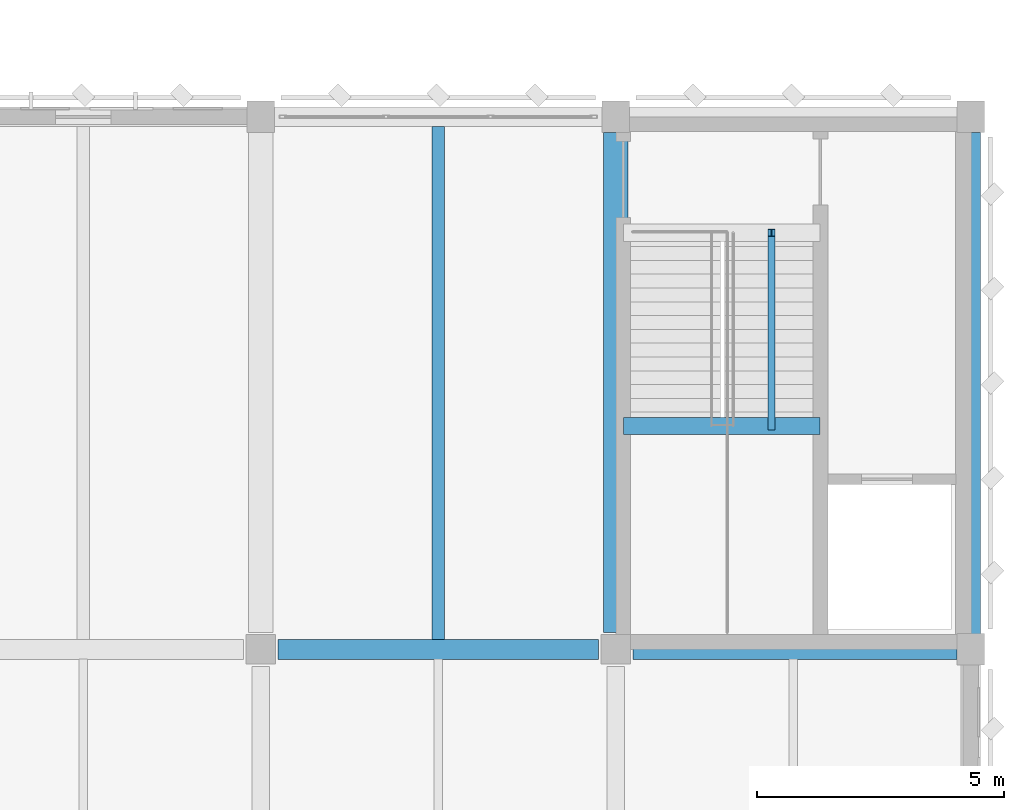
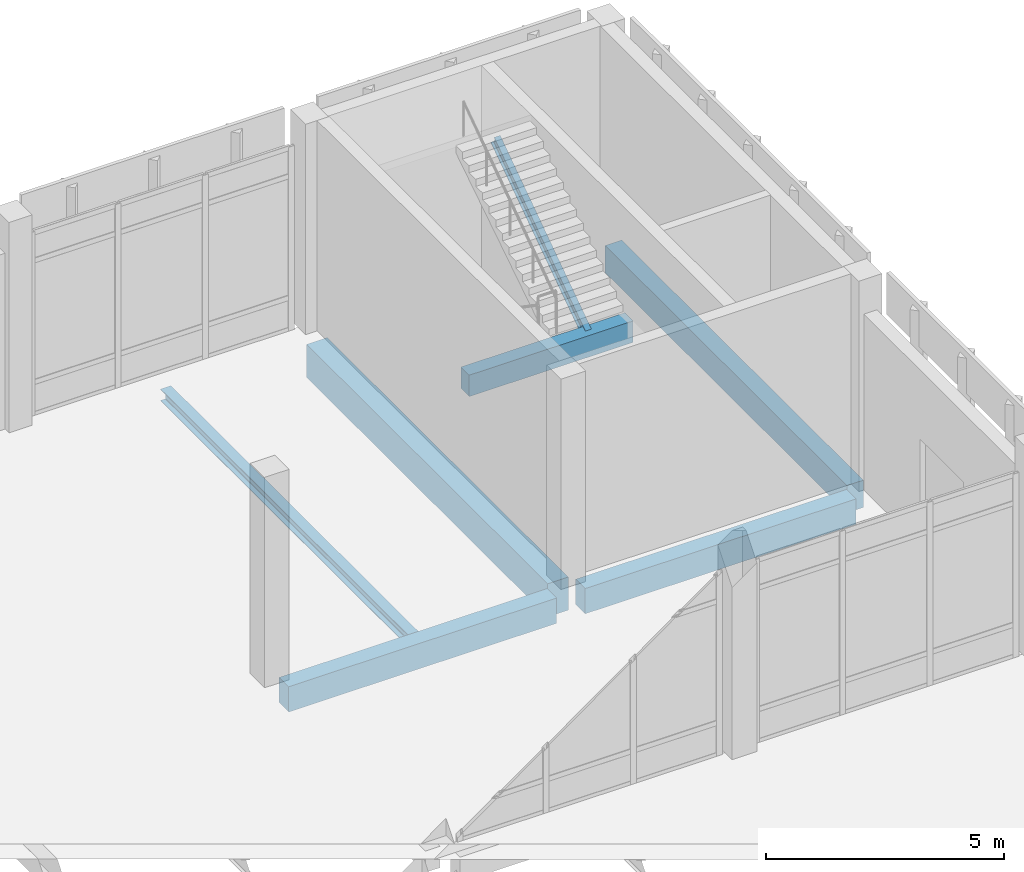
# One storey, part 137 of 180: 7 beams.
"""IFC4 building model written with IfcOpenShell, lengths in metres."""

from ifc_helpers import new_model, si_unit, direction, frame, origin, origin_2d, place, context, subcontext, project, spatial, rectangle, i_section, extrude, material, material_profile, profile_set, type_object, element, save


model = new_model("IFC4")

# Units and contexts
model_context = context("Model", 3, precision=1e-05, world=origin(), true_north=direction((0.0, 1.0)))
body_context = subcontext(model_context, "Body", "Model", "MODEL_VIEW")
ifc_project = project(units=[si_unit("LENGTHUNIT", "METRE"), si_unit("AREAUNIT", "SQUARE_METRE"), si_unit("VOLUMEUNIT", "CUBIC_METRE"), si_unit("PLANEANGLEUNIT", "RADIAN"), si_unit("MASSUNIT", "GRAM", prefix="KILO")], contexts=[model_context])

# Site, building, storey
site_placement = place(None, origin())
site = spatial("IfcSite", under=ifc_project, at=site_placement, CompositionType="ELEMENT")
building_placement = place(site_placement, origin())
building = spatial("IfcBuilding", under=site, at=building_placement, Name="Lusvemor Sports Hall", CompositionType="ELEMENT")
storey_placement = place(building_placement, frame((0.0, 0.0, 5.39990234375)))
storey = spatial("IfcBuildingStorey", under=building, at=storey_placement, Name="L01", CompositionType="ELEMENT", Elevation=5.39990234375)

# Beams
ifc_material_1 = material(Name="Concrete C40/50", Category="concrete")
ifc_material_profile_1 = material_profile(ifc_material_1, rectangle(XDim=0.35009765625, YDim=0.550048828125, at=origin_2d()), Name="RC350x550")
ifc_profile_set_1 = profile_set([ifc_material_profile_1], Name="Concrete C40/50")
beam_type_1 = type_object("IfcBeamType", Name="BEAM_RC_550", PredefinedType="BEAM", material=ifc_profile_set_1)
beam_1_placement = place(storey_placement, frame((162.159912109375, 108.929931640625, 2.2451171875), z_axis=(1.0, 0.0, 0.0), x_axis=(0.0, 1.0, 0.0)))
element("IfcBeam", 1, at=beam_1_placement, inside=storey, type_object=beam_type_1, Name="Stair STR-C5-L01 Mid-Landing Beam", PredefinedType="BEAM", context=body_context, shape_type="SweptSolid", body=[
    extrude(rectangle(XDim=0.35009765625, YDim=0.550048828125, at=origin_2d()), origin(), (0.0, 0.0, 1.0), 3.97998046875),
])
ifc_material_2 = material(Name="Concrete C40/50", Category="concrete")
ifc_material_profile_2 = material_profile(ifc_material_2, rectangle(XDim=0.39990234375, YDim=0.64990234375, at=origin_2d()), Name="RC400x650")
ifc_profile_set_2 = profile_set([ifc_material_profile_2], Name="Concrete C40/50")
beam_type_2 = type_object("IfcBeamType", Name="BEAM_RC_650", PredefinedType="BEAM", material=ifc_profile_set_2)
beam_2_placement = place(storey_placement, frame((155.14599609375, 104.39990234375, -0.5849609375), z_axis=(1.0, 0.0, 0.0), x_axis=(0.0, 1.0, 0.0)))
element("IfcBeam", 2, at=beam_2_placement, inside=storey, type_object=beam_type_2, Name="Beam L01 P:18-19", PredefinedType="BEAM", context=body_context, shape_type="SweptSolid", body=[
    extrude(rectangle(XDim=0.39990234375, YDim=0.64990234375, at=origin_2d()), origin(), (0.0, 0.0, 1.0), 6.508056640625),
])
beam_3_placement = place(storey_placement, frame((162.345947265625, 104.39990234375, -0.5849609375), z_axis=(1.0, 0.0, 0.0), x_axis=(0.0, 1.0, 0.0)))
element("IfcBeam", 3, at=beam_3_placement, inside=storey, type_object=beam_type_2, Name="Beam L01 P:19-20", PredefinedType="BEAM", context=body_context, shape_type="SweptSolid", body=[
    extrude(rectangle(XDim=0.39990234375, YDim=0.64990234375, at=origin_2d()), origin(), (0.0, 0.0, 1.0), 6.578125),
])
ifc_material_3 = material(Name="Concrete C40/50", Category="concrete")
ifc_material_profile_3 = material_profile(ifc_material_3, rectangle(XDim=0.5, YDim=0.85009765625, at=origin_2d()), Name="RC500x850")
ifc_profile_set_3 = profile_set([ifc_material_profile_3], Name="Concrete C40/50")
beam_type_3 = type_object("IfcBeamType", Name="GIRD_RC_850", PredefinedType="T_BEAM", material=ifc_profile_set_3)
beam_4_placement = place(storey_placement, frame((162.0, 104.74609375, -0.684814453125), z_axis=(0.0, 1.0, 0.0), x_axis=(-1.0, 0.0, 0.0)))
element("IfcBeam", 4, at=beam_4_placement, inside=storey, type_object=beam_type_3, Name="Beam L01 19:P-Q", PredefinedType="T_BEAM", context=body_context, shape_type="SweptSolid", body=[
    extrude(rectangle(XDim=0.5, YDim=0.85009765625, at=origin_2d()), origin(), (0.0, 0.0, 1.0), 10.137939453125),
])
ifc_material_4 = material(Name="Steel S355", Category="steel")
ifc_material_profile_4 = material_profile(ifc_material_4, i_section(OverallWidth=0.14794921875, OverallDepth=0.26611328125, WebThickness=0.007568359375, FlangeThickness=0.012939453125, FilletRadius=0.012939453125, at=origin_2d()), Name="W250x44.8")
ifc_profile_set_4 = profile_set([ifc_material_profile_4], Name="Steel S355")
beam_type_4 = type_object("IfcBeamType", Name="JOIST_ST_250M", PredefinedType="JOIST", material=ifc_profile_set_4)
beam_5_placement = place(storey_placement, frame((165.159912109375, 108.929931640625, 2.35498046875), z_axis=(0.0, 0.82354327477, 0.567253448276), x_axis=(-1.0, 0.0, 0.0)))
element("IfcBeam", 5, at=beam_5_placement, inside=storey, type_object=beam_type_4, Name="Stair STR-C5-L01 Flight 2 Stringer Beam", PredefinedType="JOIST", context=body_context, shape_type="SweptSolid", body=[
    extrude(i_section(OverallWidth=0.14794921875, OverallDepth=0.26611328125, WebThickness=0.007568359375, FlangeThickness=0.012939453125, FilletRadius=0.012939453125, at=origin_2d()), origin(), (0.0, 0.0, 1.0), 4.760009765625),
])
ifc_material_5 = material(Name="Steel S355", Category="steel")
ifc_material_profile_5 = material_profile(ifc_material_5, i_section(OverallWidth=0.25390625, OverallDepth=0.305908203125, WebThickness=0.0087890625, FlangeThickness=0.0146484375, FilletRadius=0.014892578125, at=origin_2d()), Name="W310x79.0")
ifc_profile_set_5 = profile_set([ifc_material_profile_5], Name="Steel S355")
beam_type_5 = type_object("IfcBeamType", Name="JOIST_ST_310H", PredefinedType="JOIST", material=ifc_profile_set_5)
beam_6_placement = place(storey_placement, frame((158.39990234375, 104.595947265625, -0.4169921875), z_axis=(0.0, 1.0, 0.0), x_axis=(-1.0, 0.0, 0.0)))
element("IfcBeam", 6, at=beam_6_placement, inside=storey, type_object=beam_type_5, Name="Secondary Joist L01 18-19/P-Q #1", PredefinedType="JOIST", context=body_context, shape_type="SweptSolid", body=[
    extrude(i_section(OverallWidth=0.25390625, OverallDepth=0.305908203125, WebThickness=0.0087890625, FlangeThickness=0.0146484375, FilletRadius=0.014892578125, at=origin_2d()), origin(), (0.0, 0.0, 1.0), 10.407958984375),
])
ifc_material_6 = material(Name="Concrete C40/50", Category="concrete")
ifc_material_profile_6 = material_profile(ifc_material_6, rectangle(XDim=0.39990234375, YDim=0.699951171875, at=origin_2d()), Name="RC400x700")
ifc_profile_set_6 = profile_set([ifc_material_profile_6], Name="Concrete C40/50")
beam_type_6 = type_object("IfcBeamType", Name="SPAND_EXT_700", PredefinedType="SPANDREL", material=ifc_profile_set_6)
beam_7_placement = place(storey_placement, frame((169.199951171875, 104.716064453125, -0.60986328125), z_axis=(0.0, 1.0, 0.0), x_axis=(-1.0, 0.0, 0.0)))
element("IfcBeam", 7, at=beam_7_placement, inside=storey, type_object=beam_type_6, Name="Beam L01 20:P-Q", PredefinedType="SPANDREL", context=body_context, shape_type="SweptSolid", body=[
    extrude(rectangle(XDim=0.39990234375, YDim=0.699951171875, at=origin_2d()), origin(), (0.0, 0.0, 1.0), 10.16796875),
])

save(model, "model.ifc")
